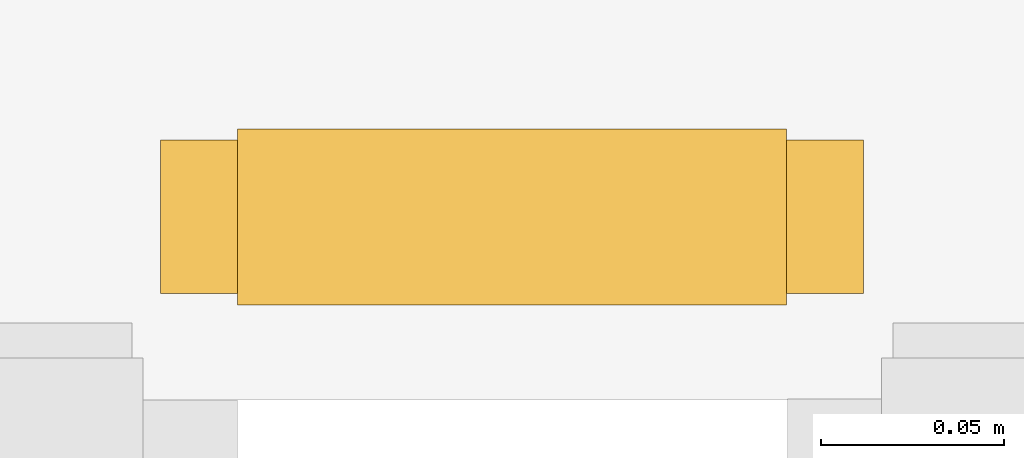
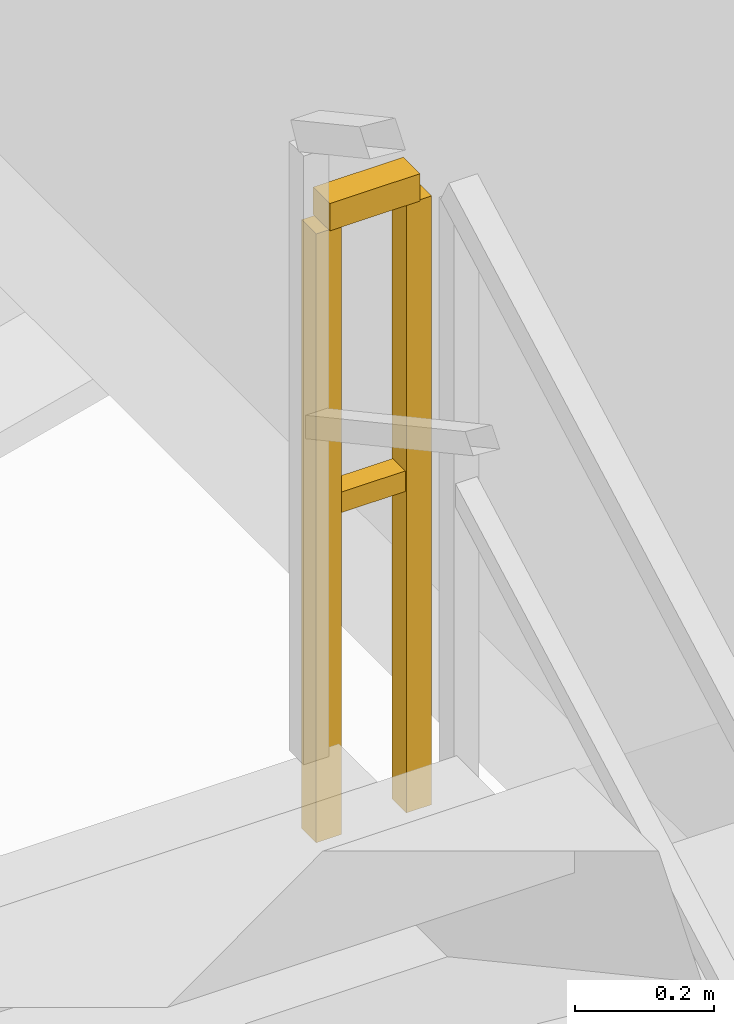
# One storey, part 26 of 28: 1 railing.
"""IFC4 building model written with IfcOpenShell, lengths in metres."""

from ifc_helpers import new_model, si_unit, direction, frame, origin, origin_2d, place, context, subcontext, project, spatial, rectangle, extrude, material, type_object, element, save


model = new_model("IFC4")

# Units and contexts
model_context = context("Model", 3, precision=1e-05, world=origin(), true_north=direction((0.0, 1.0)))
body_context = subcontext(model_context, "Body", "Model", "MODEL_VIEW")
ifc_project = project(units=[si_unit("LENGTHUNIT", "METRE"), si_unit("AREAUNIT", "SQUARE_METRE"), si_unit("VOLUMEUNIT", "CUBIC_METRE"), si_unit("PLANEANGLEUNIT", "RADIAN"), si_unit("MASSUNIT", "GRAM", prefix="KILO")], contexts=[model_context])

# Site, building, storey
site_placement = place(None, origin())
site = spatial("IfcSite", under=ifc_project, at=site_placement, CompositionType="ELEMENT")
building_placement = place(site_placement, origin())
building = spatial("IfcBuilding", under=site, at=building_placement, Name="Zuhayl Quay Hotel", CompositionType="ELEMENT")
storey_placement = place(building_placement, frame((0.0, 0.0, 239.64990234375)))
storey = spatial("IfcBuildingStorey", under=building, at=storey_placement, Name="L60", CompositionType="ELEMENT", Elevation=239.64990234375)

# Railing
ifc_material = material(Name="Steel ASTM A992 Grade 50", Category="steel")
railing_type = type_object("IfcRailingType", Name="RL_GUARD_1100", PredefinedType="GUARDRAIL", material=ifc_material)
railing_placement = place(storey_placement, frame((13.7900390625, 9.699951171875, 1.85009765625)))
element("IfcRailing", 1, at=railing_placement, inside=storey, type_object=railing_type, Name="L60 ST2 stair guard 2", PredefinedType="GUARDRAIL", context=body_context, shape_type="SweptSolid", body=[
    extrude(rectangle(XDim=0.048095703125, YDim=0.048095703125, at=origin_2d()), frame((0.0, 0.0, 1.09619140625), z_axis=(-1.0, 0.0, 0.0), x_axis=(0.0, -1.0, 0.0)), (0.0, 0.0, 1.0), 0.150146484375),
    extrude(rectangle(XDim=0.0361328125, YDim=0.0361328125, at=origin_2d()), frame((0.0, 0.0, 0.58251953125), z_axis=(-1.0, 0.0, 0.0), x_axis=(0.0, -1.0, 0.0)), (0.0, 0.0, 1.0), 0.150146484375),
    extrude(rectangle(XDim=0.0419921875, YDim=0.0419921875, at=origin_2d()), origin(), (0.0, 0.0, 1.0), 1.072021484375),
    extrude(rectangle(XDim=0.0419921875, YDim=0.0419921875, at=origin_2d()), frame((-0.150146484375, 0.0, 0.0)), (0.0, 0.0, 1.0), 1.072021484375),
])

save(model, "model.ifc")
